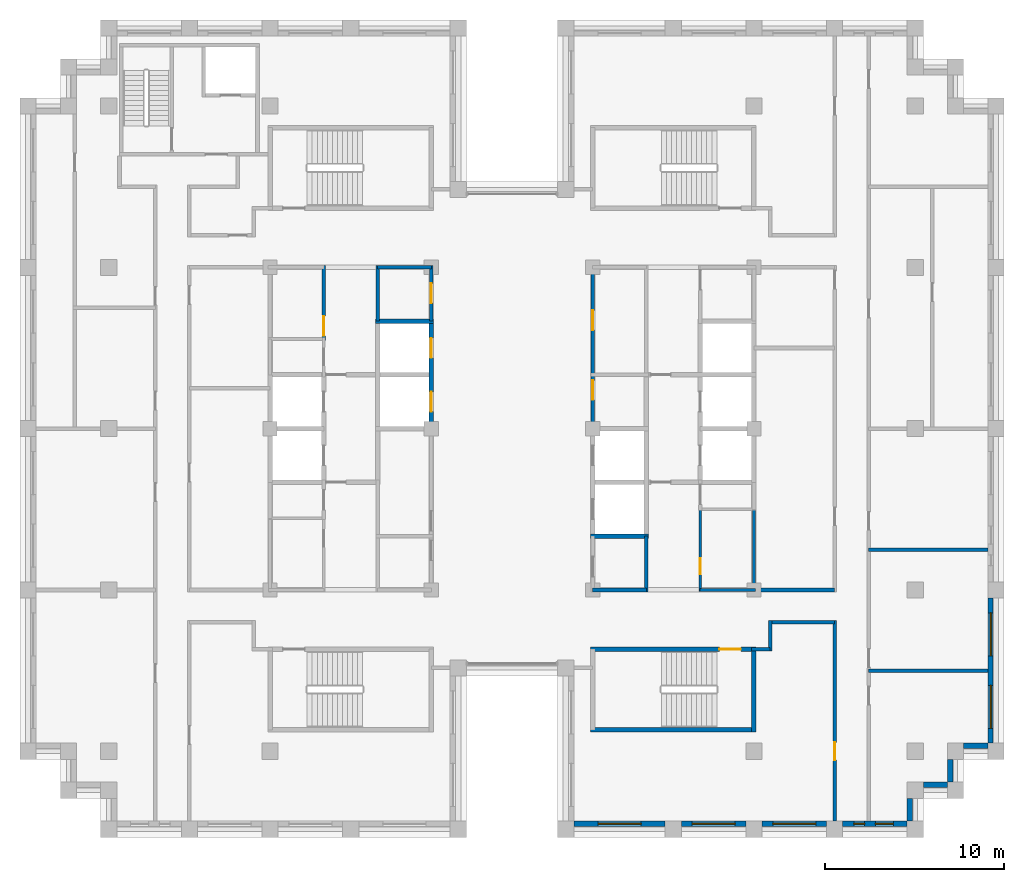
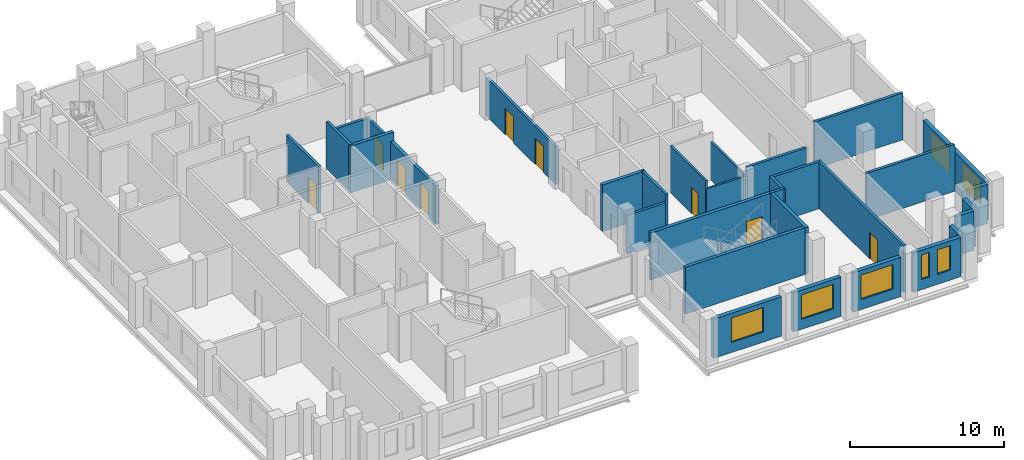
# One storey, part 8 of 13: 32 walls, 9 doors, 7 windows, 16 openings.
"""IFC4 building model written with IfcOpenShell, lengths in metres."""

from ifc_helpers import new_model, si_unit, direction, frame, frame_2d, origin, place, context, subcontext, project, spatial, rectangle, extrude, material, layer, layer_set, type_object, element, fill, save


model = new_model("IFC4")

# Units and contexts
model_context = context("Model", 3, precision=1e-05, world=origin(), true_north=direction((0.0, 1.0)))
body_context = subcontext(model_context, "Body", "Model", "MODEL_VIEW")
ifc_project = project(units=[si_unit("LENGTHUNIT", "METRE"), si_unit("AREAUNIT", "SQUARE_METRE"), si_unit("VOLUMEUNIT", "CUBIC_METRE"), si_unit("PLANEANGLEUNIT", "RADIAN"), si_unit("MASSUNIT", "GRAM", prefix="KILO")], contexts=[model_context])

# Site, building, storey
site_placement = place(None, origin())
site = spatial("IfcSite", under=ifc_project, at=site_placement, CompositionType="ELEMENT")
building_placement = place(site_placement, origin())
building = spatial("IfcBuilding", under=site, at=building_placement, Name="Corbelhall Arena Tower", CompositionType="ELEMENT")
storey_placement = place(building_placement, frame((0.0, 0.0, 246.0)))
storey = spatial("IfcBuildingStorey", under=building, at=storey_placement, Name="L52", CompositionType="ELEMENT", Elevation=246.0)

# Wall, opening, window
ifc_material_1 = material(Name="Precast concrete C40/50 with granite facing", Category="masonry")
ifc_layer_1 = layer(ifc_material_1, 0.300048828125)
ifc_layer_set_1 = layer_set([ifc_layer_1], Name="EV-IW1 Infill panel 300")
wall_type_1 = type_object("IfcWallType", Name="EV-IW1 Infill panel 300", PredefinedType="SOLIDWALL", material=ifc_layer_set_1)
wall_1_placement = place(storey_placement, frame((3.449951171875, -22.050048828125, 0.0), z_axis=(0.0, 0.0, 1.0), x_axis=(1.0, 0.0, 0.0)))
wall_1 = element("IfcWall", 1, at=wall_1_placement, inside=storey, type_object=wall_type_1, Name="Infill panel IW1", PredefinedType="SOLIDWALL", context=body_context, shape_type="SweptSolid", body=[
    extrude(rectangle(XDim=5.10009765625, YDim=0.300048828125, at=frame_2d((2.550048828125, 0.0))), origin(), (0.0, 0.0, 1.0), 3.1201171875),
])
opening_1_placement = place(wall_1_placement, frame((1.35009765625, 0.0, 0.800048828125)))
opening_1 = element("IfcOpeningElement", 2, at=opening_1_placement, cuts=wall_1, Name="Opening WN1", PredefinedType="OPENING", context=body_context, shape_type="SweptSolid", body=[
    extrude(rectangle(XDim=2.39990234375, YDim=1.949951171875, at=frame_2d((1.199951171875, 0.97509765625))), frame((0.0, 0.14990234375, 0.0), z_axis=(0.0, -1.0, 0.0), x_axis=(1.0, 0.0, 0.0)), (0.0, 0.0, 1.0), 0.300048828125),
])
ifc_material_2 = material(Name="Aluminium black anodised", Category="aluminium")
window_type_1 = type_object("IfcWindowType", Name="EV-WN1 Office window", PartitioningType="SINGLE_PANEL", PredefinedType="WINDOW", material=ifc_material_2)
window_1_placement = place(opening_1_placement, origin())
window_1 = element("IfcWindow", 3, at=window_1_placement, inside=storey, type_object=window_type_1, Name="Window WN1", OverallHeight=1.949951171875, OverallWidth=2.39990234375, PartitioningType="SINGLE_PANEL", PredefinedType="WINDOW", context=body_context, shape_type="SweptSolid", body=[
    extrude(rectangle(XDim=2.39990234375, YDim=1.949951171875, at=frame_2d((1.199951171875, 0.97509765625))), frame((0.0, 0.030029296875, 0.0), z_axis=(0.0, -1.0, 0.0), x_axis=(1.0, 0.0, 0.0)), (0.0, 0.0, 1.0), 0.06005859375),
])
fill(opening_1, window_1)

wall_2_placement = place(storey_placement, frame((9.449951171875, -22.050048828125, 0.0), z_axis=(0.0, 0.0, 1.0), x_axis=(1.0, 0.0, 0.0)))
wall_2 = element("IfcWall", 4, at=wall_2_placement, inside=storey, type_object=wall_type_1, Name="Infill panel IW1", PredefinedType="SOLIDWALL", context=body_context, shape_type="SweptSolid", body=[
    extrude(rectangle(XDim=3.60009765625, YDim=0.300048828125, at=frame_2d((1.800048828125, 0.0))), origin(), (0.0, 0.0, 1.0), 3.1201171875),
])
opening_2_placement = place(wall_2_placement, frame((0.60009765625, 0.0, 0.800048828125)))
opening_2 = element("IfcOpeningElement", 5, at=opening_2_placement, cuts=wall_2, Name="Opening WN1", PredefinedType="OPENING", context=body_context, shape_type="SweptSolid", body=[
    extrude(rectangle(XDim=2.39990234375, YDim=1.949951171875, at=frame_2d((1.199951171875, 0.97509765625))), frame((0.0, 0.14990234375, 0.0), z_axis=(0.0, -1.0, 0.0), x_axis=(1.0, 0.0, 0.0)), (0.0, 0.0, 1.0), 0.300048828125),
])
window_2_placement = place(opening_2_placement, origin())
window_2 = element("IfcWindow", 6, at=window_2_placement, inside=storey, type_object=window_type_1, Name="Window WN1", OverallHeight=1.949951171875, OverallWidth=2.39990234375, PartitioningType="SINGLE_PANEL", PredefinedType="WINDOW", context=body_context, shape_type="SweptSolid", body=[
    extrude(rectangle(XDim=2.39990234375, YDim=1.949951171875, at=frame_2d((1.199951171875, 0.97509765625))), frame((0.0, 0.030029296875, 0.0), z_axis=(0.0, -1.0, 0.0), x_axis=(1.0, 0.0, 0.0)), (0.0, 0.0, 1.0), 0.06005859375),
])
fill(opening_2, window_2)

wall_3_placement = place(storey_placement, frame((13.949951171875, -22.050048828125, 0.0), z_axis=(0.0, 0.0, 1.0), x_axis=(1.0, 0.0, 0.0)))
wall_3 = element("IfcWall", 7, at=wall_3_placement, inside=storey, type_object=wall_type_1, Name="Infill panel IW1", PredefinedType="SOLIDWALL", context=body_context, shape_type="SweptSolid", body=[
    extrude(rectangle(XDim=3.60009765625, YDim=0.300048828125, at=frame_2d((1.800048828125, 0.0))), origin(), (0.0, 0.0, 1.0), 3.1201171875),
])
opening_3_placement = place(wall_3_placement, frame((0.60009765625, 0.0, 0.800048828125)))
opening_3 = element("IfcOpeningElement", 8, at=opening_3_placement, cuts=wall_3, Name="Opening WN1", PredefinedType="OPENING", context=body_context, shape_type="SweptSolid", body=[
    extrude(rectangle(XDim=2.39990234375, YDim=1.949951171875, at=frame_2d((1.199951171875, 0.97509765625))), frame((0.0, 0.14990234375, 0.0), z_axis=(0.0, -1.0, 0.0), x_axis=(1.0, 0.0, 0.0)), (0.0, 0.0, 1.0), 0.300048828125),
])
window_3_placement = place(opening_3_placement, origin())
window_3 = element("IfcWindow", 9, at=window_3_placement, inside=storey, type_object=window_type_1, Name="Window WN1", OverallHeight=1.949951171875, OverallWidth=2.39990234375, PartitioningType="SINGLE_PANEL", PredefinedType="WINDOW", context=body_context, shape_type="SweptSolid", body=[
    extrude(rectangle(XDim=2.39990234375, YDim=1.949951171875, at=frame_2d((1.199951171875, 0.97509765625))), frame((0.0, 0.030029296875, 0.0), z_axis=(0.0, -1.0, 0.0), x_axis=(1.0, 0.0, 0.0)), (0.0, 0.0, 1.0), 0.06005859375),
])
fill(opening_3, window_3)

# Wall, openings, windows
wall_4_placement = place(storey_placement, frame((18.449951171875, -22.050048828125, 0.0), z_axis=(0.0, 0.0, 1.0), x_axis=(1.0, 0.0, 0.0)))
wall_4 = element("IfcWall", 10, at=wall_4_placement, inside=storey, type_object=wall_type_1, Name="Infill panel IW1", PredefinedType="SOLIDWALL", context=body_context, shape_type="SweptSolid", body=[
    extrude(rectangle(XDim=3.60009765625, YDim=0.300048828125, at=frame_2d((1.800048828125, 0.0))), origin(), (0.0, 0.0, 1.0), 3.1201171875),
])
opening_4_placement = place(wall_4_placement, frame((0.625, 0.0, 0.800048828125)))
opening_4 = element("IfcOpeningElement", 11, at=opening_4_placement, cuts=wall_4, Name="Opening WN5", PredefinedType="OPENING", context=body_context, shape_type="SweptSolid", body=[
    extrude(rectangle(XDim=0.60009765625, YDim=1.949951171875, at=frame_2d((0.300048828125, 0.97509765625))), frame((0.0, 0.14990234375, 0.0), z_axis=(0.0, -1.0, 0.0), x_axis=(1.0, 0.0, 0.0)), (0.0, 0.0, 1.0), 0.300048828125),
])
opening_5_placement = place(wall_4_placement, frame((1.824951171875, 0.0, 0.800048828125)))
opening_5 = element("IfcOpeningElement", 12, at=opening_5_placement, cuts=wall_4, Name="Opening WN6", PredefinedType="OPENING", context=body_context, shape_type="SweptSolid", body=[
    extrude(rectangle(XDim=1.0, YDim=1.949951171875, at=frame_2d((0.5, 0.97509765625))), frame((0.0, 0.14990234375, 0.0), z_axis=(0.0, -1.0, 0.0), x_axis=(1.0, 0.0, 0.0)), (0.0, 0.0, 1.0), 0.300048828125),
])
window_type_2 = type_object("IfcWindowType", Name="EV-WN5 Office window 600", PartitioningType="SINGLE_PANEL", PredefinedType="WINDOW", material=ifc_material_2)
window_4_placement = place(opening_4_placement, origin())
window_4 = element("IfcWindow", 13, at=window_4_placement, inside=storey, type_object=window_type_2, Name="Window WN5", OverallHeight=1.949951171875, OverallWidth=0.60009765625, PartitioningType="SINGLE_PANEL", PredefinedType="WINDOW", context=body_context, shape_type="SweptSolid", body=[
    extrude(rectangle(XDim=0.60009765625, YDim=1.949951171875, at=frame_2d((0.300048828125, 0.97509765625))), frame((0.0, 0.030029296875, 0.0), z_axis=(0.0, -1.0, 0.0), x_axis=(1.0, 0.0, 0.0)), (0.0, 0.0, 1.0), 0.06005859375),
])
fill(opening_4, window_4)
window_type_3 = type_object("IfcWindowType", Name="EV-WN6 Office window 1000", PartitioningType="SINGLE_PANEL", PredefinedType="WINDOW", material=ifc_material_2)
window_5_placement = place(opening_5_placement, origin())
window_5 = element("IfcWindow", 14, at=window_5_placement, inside=storey, type_object=window_type_3, Name="Window WN6", OverallHeight=1.949951171875, OverallWidth=1.0, PartitioningType="SINGLE_PANEL", PredefinedType="WINDOW", context=body_context, shape_type="SweptSolid", body=[
    extrude(rectangle(XDim=1.0, YDim=1.949951171875, at=frame_2d((0.5, 0.97509765625))), frame((0.0, 0.030029296875, 0.0), z_axis=(0.0, -1.0, 0.0), x_axis=(1.0, 0.0, 0.0)), (0.0, 0.0, 1.0), 0.06005859375),
])
fill(opening_5, window_5)

# Walls
wall_5_placement = place(storey_placement, frame((22.199951171875, -21.89990234375, 0.0), z_axis=(0.0, 0.0, 1.0), x_axis=(0.0, 1.0, 0.0)))
element("IfcWall", 15, at=wall_5_placement, inside=storey, type_object=wall_type_1, Name="Infill panel IW1", PredefinedType="SOLIDWALL", context=body_context, shape_type="SweptSolid", body=[
    extrude(rectangle(XDim=1.27490234375, YDim=0.300048828125, at=frame_2d((0.637451171875, 0.0))), origin(), (0.0, 0.0, 1.0), 3.1201171875),
])
wall_6_placement = place(storey_placement, frame((22.949951171875, -19.875, 0.0), z_axis=(0.0, 0.0, 1.0), x_axis=(1.0, 0.0, 0.0)))
element("IfcWall", 16, at=wall_6_placement, inside=storey, type_object=wall_type_1, Name="Infill panel IW1", PredefinedType="SOLIDWALL", context=body_context, shape_type="SweptSolid", body=[
    extrude(rectangle(XDim=1.35009765625, YDim=0.300048828125, at=frame_2d((0.675048828125, 0.0))), origin(), (0.0, 0.0, 1.0), 3.1201171875),
])
wall_7_placement = place(storey_placement, frame((24.449951171875, -19.72509765625, 0.0), z_axis=(0.0, 0.0, 1.0), x_axis=(0.0, 1.0, 0.0)))
element("IfcWall", 17, at=wall_7_placement, inside=storey, type_object=wall_type_1, Name="Infill panel IW1", PredefinedType="SOLIDWALL", context=body_context, shape_type="SweptSolid", body=[
    extrude(rectangle(XDim=1.275146484375, YDim=0.300048828125, at=frame_2d((0.6376953125, 0.0))), origin(), (0.0, 0.0, 1.0), 3.1201171875),
])
wall_8_placement = place(storey_placement, frame((25.199951171875, -17.699951171875, 0.0), z_axis=(0.0, 0.0, 1.0), x_axis=(1.0, 0.0, 0.0)))
element("IfcWall", 18, at=wall_8_placement, inside=storey, type_object=wall_type_1, Name="Infill panel IW1", PredefinedType="SOLIDWALL", context=body_context, shape_type="SweptSolid", body=[
    extrude(rectangle(XDim=1.35009765625, YDim=0.300048828125, at=frame_2d((0.675048828125, 0.0))), origin(), (0.0, 0.0, 1.0), 3.1201171875),
])

# Wall, openings, windows
wall_9_placement = place(storey_placement, frame((26.699951171875, -17.550048828125, 0.0), z_axis=(0.0, 0.0, 1.0), x_axis=(0.0, 1.0, 0.0)))
wall_9 = element("IfcWall", 19, at=wall_9_placement, inside=storey, type_object=wall_type_1, Name="Infill panel IW1", PredefinedType="SOLIDWALL", context=body_context, shape_type="SweptSolid", body=[
    extrude(rectangle(XDim=8.10009765625, YDim=0.300048828125, at=frame_2d((4.050048828125, 0.0))), origin(), (0.0, 0.0, 1.0), 3.1201171875),
])
opening_6_placement = place(wall_9_placement, frame((0.824951171875, 0.0, 0.800048828125)))
opening_6 = element("IfcOpeningElement", 20, at=opening_6_placement, cuts=wall_9, Name="Opening WN1", PredefinedType="OPENING", context=body_context, shape_type="SweptSolid", body=[
    extrude(rectangle(XDim=2.39990234375, YDim=1.949951171875, at=frame_2d((1.199951171875, 0.97509765625))), frame((0.0, 0.14990234375, 0.0), z_axis=(0.0, -1.0, 0.0), x_axis=(1.0, 0.0, 0.0)), (0.0, 0.0, 1.0), 0.300048828125),
])
opening_7_placement = place(wall_9_placement, frame((4.875, 0.0, 0.800048828125)))
opening_7 = element("IfcOpeningElement", 21, at=opening_7_placement, cuts=wall_9, Name="Opening WN1", PredefinedType="OPENING", context=body_context, shape_type="SweptSolid", body=[
    extrude(rectangle(XDim=2.39990234375, YDim=1.949951171875, at=frame_2d((1.199951171875, 0.97509765625))), frame((0.0, 0.14990234375, 0.0), z_axis=(0.0, -1.0, 0.0), x_axis=(1.0, 0.0, 0.0)), (0.0, 0.0, 1.0), 0.300048828125),
])
window_6_placement = place(opening_6_placement, origin())
window_6 = element("IfcWindow", 22, at=window_6_placement, inside=storey, type_object=window_type_1, Name="Window WN1", OverallHeight=1.949951171875, OverallWidth=2.39990234375, PartitioningType="SINGLE_PANEL", PredefinedType="WINDOW", context=body_context, shape_type="SweptSolid", body=[
    extrude(rectangle(XDim=2.39990234375, YDim=1.949951171875, at=frame_2d((1.199951171875, 0.97509765625))), frame((0.0, 0.030029296875, 0.0), z_axis=(0.0, -1.0, 0.0), x_axis=(1.0, 0.0, 0.0)), (0.0, 0.0, 1.0), 0.06005859375),
])
fill(opening_6, window_6)
window_7_placement = place(opening_7_placement, origin())
window_7 = element("IfcWindow", 23, at=window_7_placement, inside=storey, type_object=window_type_1, Name="Window WN1", OverallHeight=1.949951171875, OverallWidth=2.39990234375, PartitioningType="SINGLE_PANEL", PredefinedType="WINDOW", context=body_context, shape_type="SweptSolid", body=[
    extrude(rectangle(XDim=2.39990234375, YDim=1.949951171875, at=frame_2d((1.199951171875, 0.97509765625))), frame((0.0, 0.030029296875, 0.0), z_axis=(0.0, -1.0, 0.0), x_axis=(1.0, 0.0, 0.0)), (0.0, 0.0, 1.0), 0.06005859375),
])
fill(opening_7, window_7)

# Walls
ifc_material_3 = material(Name="Gypsum board on steel stud, acoustic", Category="steel")
ifc_layer_2 = layer(ifc_material_3, 0.199951171875)
ifc_layer_set_2 = layer_set([ifc_layer_2], Name="IN-W-DM200")
wall_type_2 = type_object("IfcWallType", Name="IN-W-DM200", PredefinedType="PARTITIONING", material=ifc_layer_set_2)
wall_10_placement = place(storey_placement, frame((13.5, -9.0, 0.0), z_axis=(0.0, 0.0, 1.0), x_axis=(1.0, 0.0, 0.0)))
element("IfcWall", 24, at=wall_10_placement, inside=storey, type_object=wall_type_2, Name="Partition 027", PredefinedType="PARTITIONING", context=body_context, shape_type="SweptSolid", body=[
    extrude(rectangle(XDim=4.5, YDim=0.199951171875, at=frame_2d((2.25, 0.0))), origin(), (0.0, 0.0, 1.0), 3.719970703125),
])
wall_11_placement = place(storey_placement, frame((14.39990234375, -12.300048828125, 0.0), z_axis=(0.0, 0.0, 1.0), x_axis=(-1.0, 0.0, 0.0)))
element("IfcWall", 25, at=wall_11_placement, inside=storey, type_object=wall_type_2, Name="Partition 029", PredefinedType="PARTITIONING", context=body_context, shape_type="SweptSolid", body=[
    extrude(rectangle(XDim=1.02490234375, YDim=0.199951171875, at=frame_2d((0.512451171875, 0.0))), origin(), (0.0, 0.0, 1.0), 3.719970703125),
])
wall_12_placement = place(storey_placement, frame((14.39990234375, -10.699951171875, 0.0), z_axis=(0.0, 0.0, 1.0), x_axis=(0.0, -1.0, 0.0)))
element("IfcWall", 26, at=wall_12_placement, inside=storey, type_object=wall_type_2, Name="Partition 030", PredefinedType="PARTITIONING", context=body_context, shape_type="SweptSolid", body=[
    extrude(rectangle(XDim=1.699951171875, YDim=0.199951171875, at=frame_2d((0.85009765625, 0.0))), origin(), (0.0, 0.0, 1.0), 3.719970703125),
])

# Wall, opening, door
wall_13_placement = place(storey_placement, frame((18.0, -21.89990234375, 0.0), z_axis=(0.0, 0.0, 1.0), x_axis=(0.0, 1.0, 0.0)))
wall_13 = element("IfcWall", 27, at=wall_13_placement, inside=storey, type_object=wall_type_2, Name="Partition 034", PredefinedType="PARTITIONING", context=body_context, shape_type="SweptSolid", body=[
    extrude(rectangle(XDim=11.199951171875, YDim=0.199951171875, at=frame_2d((5.60009765625, 0.0))), origin(), (0.0, 0.0, 1.0), 3.719970703125),
])
opening_8_placement = place(wall_13_placement, frame((3.39990234375, 0.0, 0.0)))
opening_8 = element("IfcOpeningElement", 28, at=opening_8_placement, cuts=wall_13, Name="Opening 16028", PredefinedType="OPENING", context=body_context, shape_type="SweptSolid", body=[
    extrude(rectangle(XDim=1.0, YDim=2.10009765625, at=frame_2d((0.5, 1.050048828125))), frame((0.0, 0.10009765625, 0.0), z_axis=(0.0, -1.0, 0.0), x_axis=(1.0, 0.0, 0.0)), (0.0, 0.0, 1.0), 0.199951171875),
])
ifc_material_4 = material(Name="Steel door set", Category="steel")
door_type_1 = type_object("IfcDoorType", Name="IN-D-SW100", OperationType="NOTDEFINED", PredefinedType="DOOR", material=ifc_material_4)
door_1_placement = place(opening_8_placement, origin())
door_1 = element("IfcDoor", 29, at=door_1_placement, inside=storey, type_object=door_type_1, Name="Door 028", OperationType="SINGLE_SWING_LEFT", OverallHeight=2.10009765625, OverallWidth=1.0, PredefinedType="DOOR", context=body_context, shape_type="SweptSolid", body=[
    extrude(rectangle(XDim=1.0, YDim=2.10009765625, at=frame_2d((0.5, 1.050048828125))), frame((0.0, 0.02490234375, 0.0), z_axis=(0.0, -1.0, 0.0), x_axis=(1.0, 0.0, 0.0)), (0.0, 0.0, 1.0), 0.050048828125),
])
fill(opening_8, door_1)

# Walls
wall_14_placement = place(storey_placement, frame((18.0, -10.800048828125, 0.0), z_axis=(0.0, 0.0, 1.0), x_axis=(-1.0, 0.0, 0.0)))
element("IfcWall", 30, at=wall_14_placement, inside=storey, type_object=wall_type_2, Name="Partition 035", PredefinedType="PARTITIONING", context=body_context, shape_type="SweptSolid", body=[
    extrude(rectangle(XDim=3.60009765625, YDim=0.199951171875, at=frame_2d((1.800048828125, 0.0))), origin(), (0.0, 0.0, 1.0), 3.719970703125),
])
for number, where, z_axis, x_axis, name in (
    (31, (19.89990234375, -13.5, 0.0), (0.0, 0.0, 1.0), (1.0, 0.0, 0.0), "Partition 038"),
    (32, (19.89990234375, -6.75, 0.0), (0.0, 0.0, 1.0), (1.0, 0.0, 0.0), "Partition 040"),
):
    element("IfcWall", number, at=place(storey_placement, frame(where, z_axis=z_axis, x_axis=x_axis)), inside=storey, type_object=wall_type_2, Name=name, PredefinedType="PARTITIONING", context=body_context, shape_type="SweptSolid", body=[
        extrude(rectangle(XDim=6.650146484375, YDim=0.199951171875, at=frame_2d((3.3251953125, 0.0))), origin(), (0.0, 0.0, 1.0), 3.719970703125),
    ])

# Wall, opening, door
ifc_material_5 = material(Name="Concrete block wall", Category="concrete")
ifc_layer_3 = layer(ifc_material_5, 0.199951171875)
ifc_layer_set_3 = layer_set([ifc_layer_3], Name="IN-W-RS200")
wall_type_3 = type_object("IfcWallType", Name="IN-W-RS200", PredefinedType="SOLIDWALL", material=ifc_layer_set_3)
wall_15_placement = place(storey_placement, frame((-10.5, 4.925048828125, 0.0), z_axis=(0.0, 0.0, 1.0), x_axis=(0.0, 1.0, 0.0)))
wall_15 = element("IfcWall", 33, at=wall_15_placement, inside=storey, type_object=wall_type_3, Name="Partition 048", PredefinedType="SOLIDWALL", context=body_context, shape_type="SweptSolid", body=[
    extrude(rectangle(XDim=4.175048828125, YDim=0.199951171875, at=frame_2d((2.08740234375, 0.0))), origin(), (0.0, 0.0, 1.0), 3.719970703125),
])
opening_9_placement = place(wall_15_placement, frame((0.25, 0.0, 0.0)))
opening_9 = element("IfcOpeningElement", 34, at=opening_9_placement, cuts=wall_15, Name="Opening 16008", PredefinedType="OPENING", context=body_context, shape_type="SweptSolid", body=[
    extrude(rectangle(XDim=1.10009765625, YDim=2.10009765625, at=frame_2d((0.550048828125, 1.050048828125))), frame((0.0, 0.10009765625, 0.0), z_axis=(0.0, -1.0, 0.0), x_axis=(1.0, 0.0, 0.0)), (0.0, 0.0, 1.0), 0.199951171875),
])
door_type_2 = type_object("IfcDoorType", Name="IN-D-FD110", OperationType="NOTDEFINED", PredefinedType="DOOR", material=ifc_material_4)
door_2_placement = place(opening_9_placement, origin())
door_2 = element("IfcDoor", 35, at=door_2_placement, inside=storey, type_object=door_type_2, Name="Door 008", OperationType="SINGLE_SWING_LEFT", OverallHeight=2.10009765625, OverallWidth=1.10009765625, PredefinedType="DOOR", context=body_context, shape_type="SweptSolid", body=[
    extrude(rectangle(XDim=1.10009765625, YDim=2.10009765625, at=frame_2d((0.550048828125, 1.050048828125))), frame((0.0, 0.02490234375, 0.0), z_axis=(0.0, -1.0, 0.0), x_axis=(1.0, 0.0, 0.0)), (0.0, 0.0, 1.0), 0.050048828125),
])
fill(opening_9, door_2)

# Walls
for number, where, z_axis, x_axis, name in (
    (36, (-7.5, 6.0, 0.0), (0.0, 0.0, 1.0), (0.0, 1.0, 0.0), "Partition 051"),
    (37, (7.5, -6.0, 0.0), (0.0, 0.0, 1.0), (0.0, -1.0, 0.0), "Partition 061"),
):
    element("IfcWall", number, at=place(storey_placement, frame(where, z_axis=z_axis, x_axis=x_axis)), inside=storey, type_object=wall_type_3, Name=name, PredefinedType="SOLIDWALL", context=body_context, shape_type="SweptSolid", body=[
        extrude(rectangle(XDim=3.10009765625, YDim=0.199951171875, at=frame_2d((1.550048828125, 0.0))), origin(), (0.0, 0.0, 1.0), 3.719970703125),
    ])
ifc_layer_4 = layer(ifc_material_5, 0.199951171875)
ifc_layer_set_4 = layer_set([ifc_layer_4], Name="IN-W-RS200 under beam 678 mm")
wall_type_4 = type_object("IfcWallType", Name="IN-W-RS200 under beam 678 mm", PredefinedType="SOLIDWALL", material=ifc_layer_set_4)
wall_16_placement = place(storey_placement, frame((-7.5, 9.0, 0.0), z_axis=(0.0, 0.0, 1.0), x_axis=(1.0, 0.0, 0.0)))
element("IfcWall", 38, at=wall_16_placement, inside=storey, type_object=wall_type_4, Name="Partition 052", PredefinedType="SOLIDWALL", context=body_context, shape_type="SweptSolid", body=[
    extrude(rectangle(XDim=3.0, YDim=0.199951171875, at=frame_2d((1.5, 0.0))), origin(), (0.0, 0.0, 1.0), 3.041748046875),
])

# Wall, opening, door
wall_17_placement = place(storey_placement, frame((-4.5, 9.10009765625, 0.0), z_axis=(0.0, 0.0, 1.0), x_axis=(0.0, -1.0, 0.0)))
wall_17 = element("IfcWall", 39, at=wall_17_placement, inside=storey, type_object=wall_type_4, Name="Partition 055", PredefinedType="SOLIDWALL", context=body_context, shape_type="SweptSolid", body=[
    extrude(rectangle(XDim=3.10009765625, YDim=0.199951171875, at=frame_2d((1.550048828125, 0.0))), origin(), (0.0, 0.0, 1.0), 3.041748046875),
])
opening_10_placement = place(wall_17_placement, frame((1.0, 0.0, 0.0)))
opening_10 = element("IfcOpeningElement", 40, at=opening_10_placement, cuts=wall_17, Name="Opening 16003", PredefinedType="OPENING", context=body_context, shape_type="SweptSolid", body=[
    extrude(rectangle(XDim=1.10009765625, YDim=2.10009765625, at=frame_2d((0.550048828125, 1.050048828125))), frame((0.0, 0.10009765625, 0.0), z_axis=(0.0, -1.0, 0.0), x_axis=(1.0, 0.0, 0.0)), (0.0, 0.0, 1.0), 0.199951171875),
])
door_3_placement = place(opening_10_placement, origin())
door_3 = element("IfcDoor", 41, at=door_3_placement, inside=storey, type_object=door_type_2, Name="Door 003", OperationType="SINGLE_SWING_RIGHT", OverallHeight=2.10009765625, OverallWidth=1.10009765625, PredefinedType="DOOR", context=body_context, shape_type="SweptSolid", body=[
    extrude(rectangle(XDim=1.10009765625, YDim=2.10009765625, at=frame_2d((0.550048828125, 1.050048828125))), frame((0.0, 0.02490234375, 0.0), z_axis=(0.0, -1.0, 0.0), x_axis=(1.0, 0.0, 0.0)), (0.0, 0.0, 1.0), 0.050048828125),
])
fill(opening_10, door_3)

# Wall, openings, doors
wall_18_placement = place(storey_placement, frame((4.5, 0.0, 0.0), z_axis=(0.0, 0.0, 1.0), x_axis=(0.0, 1.0, 0.0)))
wall_18 = element("IfcWall", 42, at=wall_18_placement, inside=storey, type_object=wall_type_4, Name="Partition 058", PredefinedType="SOLIDWALL", context=body_context, shape_type="SweptSolid", body=[
    extrude(rectangle(XDim=9.10009765625, YDim=0.199951171875, at=frame_2d((4.550048828125, 0.0))), origin(), (0.0, 0.0, 1.0), 3.041748046875),
])
opening_11_placement = place(wall_18_placement, frame((1.60009765625, 0.0, 0.0)))
opening_11 = element("IfcOpeningElement", 43, at=opening_11_placement, cuts=wall_18, Name="Opening 16010", PredefinedType="OPENING", context=body_context, shape_type="SweptSolid", body=[
    extrude(rectangle(XDim=1.10009765625, YDim=2.10009765625, at=frame_2d((0.550048828125, 1.050048828125))), frame((0.0, 0.10009765625, 0.0), z_axis=(0.0, -1.0, 0.0), x_axis=(1.0, 0.0, 0.0)), (0.0, 0.0, 1.0), 0.199951171875),
])
opening_12_placement = place(wall_18_placement, frame((5.5, 0.0, 0.0)))
opening_12 = element("IfcOpeningElement", 44, at=opening_12_placement, cuts=wall_18, Name="Opening 16011", PredefinedType="OPENING", context=body_context, shape_type="SweptSolid", body=[
    extrude(rectangle(XDim=1.10009765625, YDim=2.10009765625, at=frame_2d((0.550048828125, 1.050048828125))), frame((0.0, 0.10009765625, 0.0), z_axis=(0.0, -1.0, 0.0), x_axis=(1.0, 0.0, 0.0)), (0.0, 0.0, 1.0), 0.199951171875),
])
door_4_placement = place(opening_11_placement, origin())
door_4 = element("IfcDoor", 45, at=door_4_placement, inside=storey, type_object=door_type_2, Name="Door 010", OperationType="SINGLE_SWING_LEFT", OverallHeight=2.10009765625, OverallWidth=1.10009765625, PredefinedType="DOOR", context=body_context, shape_type="SweptSolid", body=[
    extrude(rectangle(XDim=1.10009765625, YDim=2.10009765625, at=frame_2d((0.550048828125, 1.050048828125))), frame((0.0, 0.02490234375, 0.0), z_axis=(0.0, -1.0, 0.0), x_axis=(1.0, 0.0, 0.0)), (0.0, 0.0, 1.0), 0.050048828125),
])
fill(opening_11, door_4)
door_5_placement = place(opening_12_placement, origin())
door_5 = element("IfcDoor", 46, at=door_5_placement, inside=storey, type_object=door_type_2, Name="Door 011", OperationType="SINGLE_SWING_RIGHT", OverallHeight=2.10009765625, OverallWidth=1.10009765625, PredefinedType="DOOR", context=body_context, shape_type="SweptSolid", body=[
    extrude(rectangle(XDim=1.10009765625, YDim=2.10009765625, at=frame_2d((0.550048828125, 1.050048828125))), frame((0.0, 0.02490234375, 0.0), z_axis=(0.0, -1.0, 0.0), x_axis=(1.0, 0.0, 0.0)), (0.0, 0.0, 1.0), 0.050048828125),
])
fill(opening_12, door_5)

# Walls
wall_19_placement = place(storey_placement, frame((7.5, -9.0, 0.0), z_axis=(0.0, 0.0, 1.0), x_axis=(-1.0, 0.0, 0.0)))
element("IfcWall", 47, at=wall_19_placement, inside=storey, type_object=wall_type_4, Name="Partition 060", PredefinedType="SOLIDWALL", context=body_context, shape_type="SweptSolid", body=[
    extrude(rectangle(XDim=3.0, YDim=0.199951171875, at=frame_2d((1.5, 0.0))), origin(), (0.0, 0.0, 1.0), 3.041748046875),
])
ifc_material_6 = material(Name="Concrete C40/50", Category="concrete")
ifc_layer_5 = layer(ifc_material_6, 0.25)
ifc_layer_set_5 = layer_set([ifc_layer_5], Name="IN-W-SH250")
wall_type_5 = type_object("IfcWallType", Name="IN-W-SH250", PredefinedType="SOLIDWALL", material=ifc_layer_set_5)
for number, where, z_axis, x_axis, name in (
    (48, (-7.625, 6.0, 0.0), (0.0, 0.0, 1.0), (1.0, 0.0, 0.0), "Shaft wall 074"),
    (49, (4.375, -6.0, 0.0), (0.0, 0.0, 1.0), (1.0, 0.0, 0.0), "Shaft wall 077"),
):
    element("IfcWall", number, at=place(storey_placement, frame(where, z_axis=z_axis, x_axis=x_axis)), inside=storey, type_object=wall_type_5, Name=name, PredefinedType="SOLIDWALL", context=body_context, shape_type="SweptSolid", body=[
        extrude(rectangle(XDim=3.25, YDim=0.25, at=frame_2d((1.625, 0.0))), origin(), (0.0, 0.0, 1.0), 3.719970703125),
    ])

# Wall, openings, doors
ifc_layer_6 = layer(ifc_material_6, 0.25)
ifc_layer_set_6 = layer_set([ifc_layer_6], Name="IN-W-SH250 under beam 678 mm")
wall_type_6 = type_object("IfcWallType", Name="IN-W-SH250 under beam 678 mm", PredefinedType="SOLIDWALL", material=ifc_layer_set_6)
wall_20_placement = place(storey_placement, frame((-4.5, 6.0, 0.0), z_axis=(0.0, 0.0, 1.0), x_axis=(0.0, -1.0, 0.0)))
wall_20 = element("IfcWall", 50, at=wall_20_placement, inside=storey, type_object=wall_type_6, Name="Shaft wall 076", PredefinedType="SOLIDWALL", context=body_context, shape_type="SweptSolid", body=[
    extrude(rectangle(XDim=6.0, YDim=0.25, at=frame_2d((3.0, 0.0))), origin(), (0.0, 0.0, 1.0), 3.041748046875),
])
opening_13_placement = place(wall_20_placement, frame((3.949951171875, 0.0, 0.0)))
opening_13 = element("IfcOpeningElement", 51, at=opening_13_placement, cuts=wall_20, Name="Opening LD", PredefinedType="OPENING", context=body_context, shape_type="SweptSolid", body=[
    extrude(rectangle(XDim=1.10009765625, YDim=2.10009765625, at=frame_2d((0.550048828125, 1.050048828125))), frame((0.0, 0.125, 0.0), z_axis=(0.0, -1.0, 0.0), x_axis=(1.0, 0.0, 0.0)), (0.0, 0.0, 1.0), 0.25),
])
opening_14_placement = place(wall_20_placement, frame((0.949951171875, 0.0, 0.0)))
opening_14 = element("IfcOpeningElement", 52, at=opening_14_placement, cuts=wall_20, Name="Opening LD", PredefinedType="OPENING", context=body_context, shape_type="SweptSolid", body=[
    extrude(rectangle(XDim=1.10009765625, YDim=2.10009765625, at=frame_2d((0.550048828125, 1.050048828125))), frame((0.0, 0.125, 0.0), z_axis=(0.0, -1.0, 0.0), x_axis=(1.0, 0.0, 0.0)), (0.0, 0.0, 1.0), 0.25),
])
door_type_3 = type_object("IfcDoorType", Name="IN-D-LD110", OperationType="NOTDEFINED", PredefinedType="DOOR", material=ifc_material_4)
door_6_placement = place(opening_13_placement, origin())
door_6 = element("IfcDoor", 53, at=door_6_placement, inside=storey, type_object=door_type_3, Name="Landing door W4", OperationType="SLIDING_TO_LEFT", OverallHeight=2.10009765625, OverallWidth=1.10009765625, PredefinedType="DOOR", context=body_context, shape_type="SweptSolid", body=[
    extrude(rectangle(XDim=1.10009765625, YDim=2.10009765625, at=frame_2d((0.550048828125, 1.050048828125))), frame((0.0, 0.02490234375, 0.0), z_axis=(0.0, -1.0, 0.0), x_axis=(1.0, 0.0, 0.0)), (0.0, 0.0, 1.0), 0.050048828125),
])
fill(opening_13, door_6)
door_7_placement = place(opening_14_placement, origin())
door_7 = element("IfcDoor", 54, at=door_7_placement, inside=storey, type_object=door_type_3, Name="Landing door W5", OperationType="SLIDING_TO_LEFT", OverallHeight=2.10009765625, OverallWidth=1.10009765625, PredefinedType="DOOR", context=body_context, shape_type="SweptSolid", body=[
    extrude(rectangle(XDim=1.10009765625, YDim=2.10009765625, at=frame_2d((0.550048828125, 1.050048828125))), frame((0.0, 0.02490234375, 0.0), z_axis=(0.0, -1.0, 0.0), x_axis=(1.0, 0.0, 0.0)), (0.0, 0.0, 1.0), 0.050048828125),
])
fill(opening_14, door_7)

# Walls
ifc_layer_7 = layer(ifc_material_6, 0.25)
ifc_layer_set_7 = layer_set([ifc_layer_7], Name="IN-W-ST250")
wall_type_7 = type_object("IfcWallType", Name="IN-W-ST250", PredefinedType="SOLIDWALL", material=ifc_layer_set_7)
wall_21_placement = place(storey_placement, frame((13.5, -16.800048828125, 0.0), z_axis=(0.0, 0.0, 1.0), x_axis=(-1.0, 0.0, 0.0)))
element("IfcWall", 55, at=wall_21_placement, inside=storey, type_object=wall_type_7, Name="Shaft wall 099", PredefinedType="SOLIDWALL", context=body_context, shape_type="SweptSolid", body=[
    extrude(rectangle(XDim=9.125, YDim=0.25, at=frame_2d((4.5625, 0.0))), origin(), (0.0, 0.0, 1.0), 3.719970703125),
])
wall_22_placement = place(storey_placement, frame((13.5, -12.300048828125, 0.0), z_axis=(0.0, 0.0, 1.0), x_axis=(0.0, -1.0, 0.0)))
element("IfcWall", 56, at=wall_22_placement, inside=storey, type_object=wall_type_7, Name="Shaft wall 100", PredefinedType="SOLIDWALL", context=body_context, shape_type="SweptSolid", body=[
    extrude(rectangle(XDim=4.625, YDim=0.25, at=frame_2d((2.3125, 0.0))), origin(), (0.0, 0.0, 1.0), 3.719970703125),
])

# Wall, opening, door
wall_23_placement = place(storey_placement, frame((13.625, -12.300048828125, 0.0), z_axis=(0.0, 0.0, 1.0), x_axis=(-1.0, 0.0, 0.0)))
wall_23 = element("IfcWall", 57, at=wall_23_placement, inside=storey, type_object=wall_type_7, Name="Shaft wall 102", PredefinedType="SOLIDWALL", context=body_context, shape_type="SweptSolid", body=[
    extrude(rectangle(XDim=9.25, YDim=0.25, at=frame_2d((4.625, 0.0))), origin(), (0.0, 0.0, 1.0), 3.719970703125),
])
opening_15_placement = place(wall_23_placement, frame((0.85009765625, 0.0, 0.0)))
opening_15 = element("IfcOpeningElement", 58, at=opening_15_placement, cuts=wall_23, Name="Opening 16020", PredefinedType="OPENING", context=body_context, shape_type="SweptSolid", body=[
    extrude(rectangle(XDim=1.199951171875, YDim=2.10009765625, at=frame_2d((0.60009765625, 1.050048828125))), frame((0.0, 0.125, 0.0), z_axis=(0.0, -1.0, 0.0), x_axis=(1.0, 0.0, 0.0)), (0.0, 0.0, 1.0), 0.25),
])
door_type_4 = type_object("IfcDoorType", Name="IN-D-ST120", OperationType="NOTDEFINED", PredefinedType="DOOR", material=ifc_material_4)
door_8_placement = place(opening_15_placement, origin())
door_8 = element("IfcDoor", 59, at=door_8_placement, inside=storey, type_object=door_type_4, Name="Door 020", OperationType="SINGLE_SWING_LEFT", OverallHeight=2.10009765625, OverallWidth=1.199951171875, PredefinedType="DOOR", context=body_context, shape_type="SweptSolid", body=[
    extrude(rectangle(XDim=1.199951171875, YDim=2.10009765625, at=frame_2d((0.60009765625, 1.050048828125))), frame((0.0, 0.02490234375, 0.0), z_axis=(0.0, -1.0, 0.0), x_axis=(1.0, 0.0, 0.0)), (0.0, 0.0, 1.0), 0.050048828125),
])
fill(opening_15, door_8)

ifc_material_7 = material(Name="Gypsum board on steel stud, moisture resistant", Category="steel")
ifc_layer_8 = layer(ifc_material_7, 0.14990234375)
ifc_layer_set_8 = layer_set([ifc_layer_8], Name="IN-W-WC150")
wall_type_8 = type_object("IfcWallType", Name="IN-W-WC150", PredefinedType="PARTITIONING", material=ifc_layer_set_8)
wall_24_placement = place(storey_placement, frame((10.5, -4.425048828125, 0.0), z_axis=(0.0, 0.0, 1.0), x_axis=(0.0, -1.0, 0.0)))
wall_24 = element("IfcWall", 60, at=wall_24_placement, inside=storey, type_object=wall_type_8, Name="Partition 111", PredefinedType="PARTITIONING", context=body_context, shape_type="SweptSolid", body=[
    extrude(rectangle(XDim=4.64990234375, YDim=0.14990234375, at=frame_2d((2.324951171875, 0.0))), origin(), (0.0, 0.0, 1.0), 3.719970703125),
])
opening_16_placement = place(wall_24_placement, frame((2.800048828125, 0.0, 0.0)))
opening_16 = element("IfcOpeningElement", 61, at=opening_16_placement, cuts=wall_24, Name="Opening 16014", PredefinedType="OPENING", context=body_context, shape_type="SweptSolid", body=[
    extrude(rectangle(XDim=0.89990234375, YDim=2.10009765625, at=frame_2d((0.449951171875, 1.050048828125))), frame((0.0, 0.074951171875, 0.0), z_axis=(0.0, -1.0, 0.0), x_axis=(1.0, 0.0, 0.0)), (0.0, 0.0, 1.0), 0.14990234375),
])
ifc_material_8 = material(Name="Timber door set", Category="wood")
door_type_5 = type_object("IfcDoorType", Name="IN-D-SW90", OperationType="NOTDEFINED", PredefinedType="DOOR", material=ifc_material_8)
door_9_placement = place(opening_16_placement, origin())
door_9 = element("IfcDoor", 62, at=door_9_placement, inside=storey, type_object=door_type_5, Name="Door 014", OperationType="SINGLE_SWING_LEFT", OverallHeight=2.10009765625, OverallWidth=0.89990234375, PredefinedType="DOOR", context=body_context, shape_type="SweptSolid", body=[
    extrude(rectangle(XDim=0.89990234375, YDim=2.10009765625, at=frame_2d((0.449951171875, 1.050048828125))), frame((0.0, 0.02490234375, 0.0), z_axis=(0.0, -1.0, 0.0), x_axis=(1.0, 0.0, 0.0)), (0.0, 0.0, 1.0), 0.050048828125),
])
fill(opening_16, door_9)

# Walls
ifc_layer_9 = layer(ifc_material_7, 0.14990234375)
ifc_layer_set_9 = layer_set([ifc_layer_9], Name="IN-W-WC150 under beam 678 mm")
wall_type_9 = type_object("IfcWallType", Name="IN-W-WC150 under beam 678 mm", PredefinedType="PARTITIONING", material=ifc_layer_set_9)
wall_25_placement = place(storey_placement, frame((13.5, -4.5, 0.0), z_axis=(0.0, 0.0, 1.0), x_axis=(0.0, -1.0, 0.0)))
element("IfcWall", 63, at=wall_25_placement, inside=storey, type_object=wall_type_9, Name="Partition 112", PredefinedType="PARTITIONING", context=body_context, shape_type="SweptSolid", body=[
    extrude(rectangle(XDim=4.60009765625, YDim=0.14990234375, at=frame_2d((2.300048828125, 0.0))), origin(), (0.0, 0.0, 1.0), 3.041748046875),
])
wall_26_placement = place(storey_placement, frame((13.574951171875, -9.0, 0.0), z_axis=(0.0, 0.0, 1.0), x_axis=(-1.0, 0.0, 0.0)))
element("IfcWall", 64, at=wall_26_placement, inside=storey, type_object=wall_type_9, Name="Partition 113", PredefinedType="PARTITIONING", context=body_context, shape_type="SweptSolid", body=[
    extrude(rectangle(XDim=3.074951171875, YDim=0.14990234375, at=frame_2d((1.53759765625, 0.0))), origin(), (0.0, 0.0, 1.0), 3.041748046875),
])

save(model, "model.ifc")
